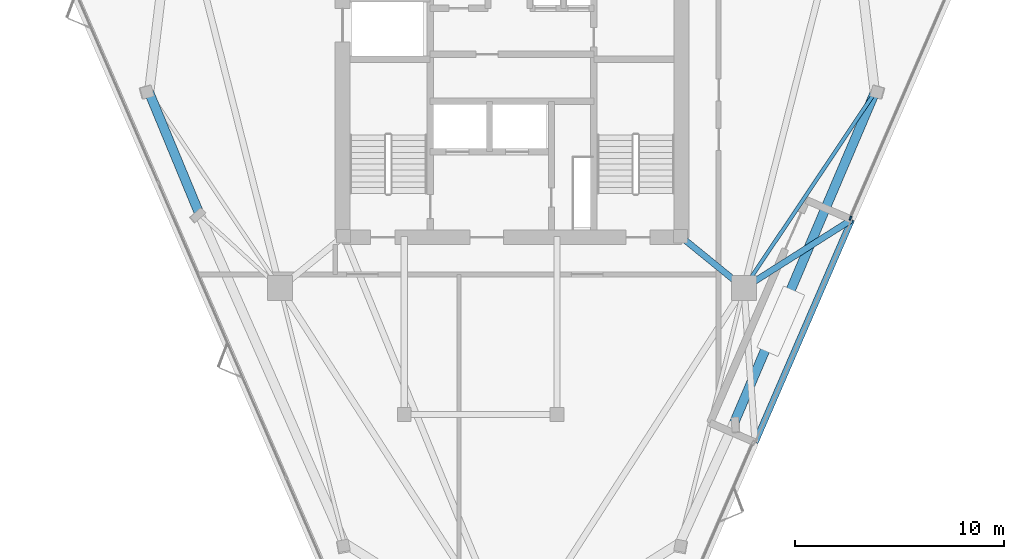
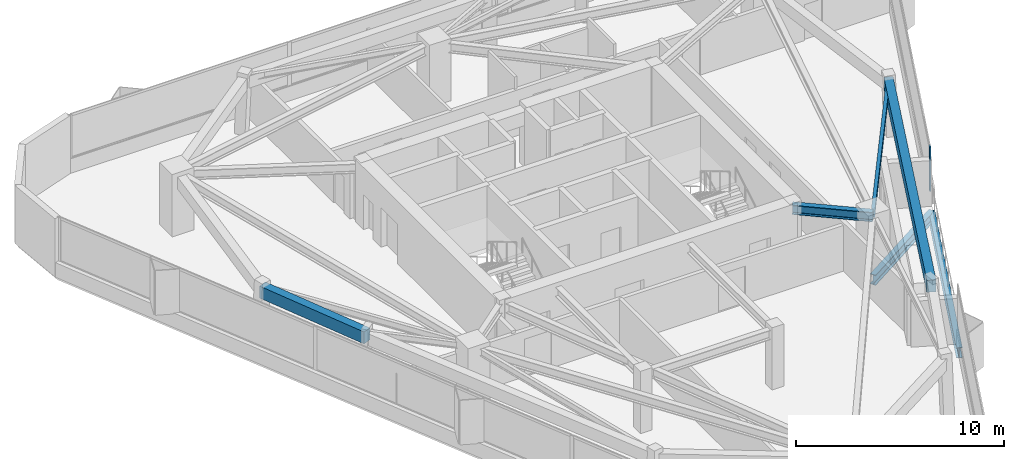
# One storey, part 3 of 10: 6 beams, 1 member, 1 element without a shape of its own.
"""IFC4 building model written with IfcOpenShell, lengths in metres."""

from ifc_helpers import new_model, si_unit, direction, frame, origin, origin_2d, place, context, subcontext, project, spatial, rectangle, i_section, extrude, material, layer, layer_set, material_profile, profile_set, type_object, element, aggregate, save


model = new_model("IFC4")

# Units and contexts
model_context = context("Model", 3, precision=1e-05, world=origin(), true_north=direction((0.0, 1.0)))
body_context = subcontext(model_context, "Body", "Model", "MODEL_VIEW")
ifc_project = project(units=[si_unit("LENGTHUNIT", "METRE"), si_unit("AREAUNIT", "SQUARE_METRE"), si_unit("VOLUMEUNIT", "CUBIC_METRE"), si_unit("PLANEANGLEUNIT", "RADIAN"), si_unit("MASSUNIT", "GRAM", prefix="KILO")], contexts=[model_context])

# Site, building, storey
site_placement = place(None, origin())
site = spatial("IfcSite", under=ifc_project, at=site_placement, CompositionType="ELEMENT")
building_placement = place(site_placement, origin())
building = spatial("IfcBuilding", under=site, at=building_placement, Name="Talyreon Biosciences Tower", CompositionType="ELEMENT")
storey_placement = place(building_placement, frame((0.0, 0.0, 253.5)))
storey = spatial("IfcBuildingStorey", under=building, at=storey_placement, Name="L67", CompositionType="ELEMENT", Elevation=253.5)

# Curtain wall, member
ifc_material_1 = material(Name="Thermally broken aluminium and low-E glazing", Category="aluminium")
ifc_layer = layer(ifc_material_1, 0.205078125)
ifc_layer_set = layer_set([ifc_layer], Name="Thermally broken aluminium and low-E glazing")
curtain_wall_type = type_object("IfcCurtainWallType", Name="CurtainWall_SkyGardenLoggia", PredefinedType="NOTDEFINED", material=ifc_layer_set)
curtain_wall_placement = place(storey_placement, origin())
curtain_wall = element("IfcCurtainWall", 1, at=curtain_wall_placement, inside=storey, type_object=curtain_wall_type, Name="L67 Unitised Curtain Wall FCW-L67-07", PredefinedType="NOTDEFINED")
ifc_material_2 = material(Name="Anodised thermally broken aluminium", Category="aluminium")
ifc_material_profile_1 = material_profile(ifc_material_2, rectangle(XDim=0.074951171875, YDim=0.2099609375, at=origin_2d()), Name="ALUM MULLION 75x210")
ifc_profile_set_1 = profile_set([ifc_material_profile_1], Name="Anodised thermally broken aluminium")
member_type = type_object("IfcMemberType", Name="CWMullion_75x210", PredefinedType="MULLION", material=ifc_profile_set_1)
member_placement = place(storey_placement, frame((82.170654296875, 62.214599609375, 0.81005859375), z_axis=(0.0, 0.0, 1.0), x_axis=(0.917586622181, -0.397535898748, 0.0)))
member = element("IfcMember", 2, at=member_placement, type_object=member_type, Name="CW7 mullion 2", PredefinedType="MULLION", context=body_context, shape_type="SweptSolid", body=[
    extrude(rectangle(XDim=0.074951171875, YDim=0.2099609375, at=origin_2d()), origin(), (0.0, 0.0, 1.0), 2.58984375),
])
aggregate(curtain_wall, [member])

# Beams
ifc_material_3 = material(Name="Precast concrete C45/55", Category="concrete")
ifc_material_profile_2 = material_profile(ifc_material_3, rectangle(XDim=0.449951171875, YDim=0.699951171875, at=origin_2d()), Name="RCB 450x700")
ifc_profile_set_2 = profile_set([ifc_material_profile_2], Name="Precast concrete C45/55")
beam_type_1 = type_object("IfcBeamType", Name="ExpressedSpandrel_450x700", PredefinedType="SPANDREL", material=ifc_profile_set_2)
beam_1_placement = place(storey_placement, frame((76.62060546875, 52.45361328125, 3.050048828125), z_axis=(0.391967859802, 0.919978911108, 0.0), x_axis=(-0.919978911108, 0.391967859802, 0.0)))
element("IfcBeam", 3, at=beam_1_placement, inside=storey, type_object=beam_type_1, Name="L67 Expressed Horizontal Concrete Spandrel 03", PredefinedType="SPANDREL", context=body_context, shape_type="SweptSolid", body=[
    extrude(rectangle(XDim=0.449951171875, YDim=0.699951171875, at=origin_2d()), origin(), (0.0, 0.0, 1.0), 17.1455078125),
])
beam_2_placement = place(storey_placement, frame((48.658935546875, 68.22705078125, 3.050048828125), z_axis=(0.382743154991, -0.923854792328, 0.0), x_axis=(0.923854792328, 0.382743154991, 0.0)))
element("IfcBeam", 4, at=beam_2_placement, inside=storey, type_object=beam_type_1, Name="L67 Expressed Horizontal Concrete Spandrel 10", PredefinedType="SPANDREL", context=body_context, shape_type="SweptSolid", body=[
    extrude(rectangle(XDim=0.449951171875, YDim=0.699951171875, at=origin_2d()), origin(), (0.0, 0.0, 1.0), 6.3173828125),
])
ifc_material_4 = material(Name="Steel SM355", Category="steel")
ifc_material_profile_3 = material_profile(ifc_material_4, i_section(OverallWidth=0.300048828125, OverallDepth=0.550048828125, WebThickness=0.014892578125, FlangeThickness=0.029052734375, FilletRadius=0.027099609375, at=origin_2d()), Name="HE550B")
ifc_profile_set_3 = profile_set([ifc_material_profile_3], Name="Steel SM355")
beam_type_2 = type_object("IfcBeamType", Name="SteelBeam_HE550B", PredefinedType="BEAM", material=ifc_profile_set_3)
beam_3_placement = place(storey_placement, frame((74.050048828125, 61.35009765625, 3.125), z_axis=(0.775755154013, -0.631034025249, 0.0), x_axis=(0.631034025249, 0.775755154013, 0.0)))
element("IfcBeam", 5, at=beam_3_placement, inside=storey, type_object=beam_type_2, Name="L67 Radial Primary Girder 2", PredefinedType="BEAM", context=body_context, shape_type="SweptSolid", body=[
    extrude(i_section(OverallWidth=0.300048828125, OverallDepth=0.550048828125, WebThickness=0.014892578125, FlangeThickness=0.029052734375, FilletRadius=0.027099609375, at=origin_2d()), origin(), (0.0, 0.0, 1.0), 3.913818359375),
])
ifc_material_profile_4 = material_profile(ifc_material_4, i_section(OverallWidth=0.300048828125, OverallDepth=0.60009765625, WebThickness=0.015380859375, FlangeThickness=0.030029296875, FilletRadius=0.027099609375, at=origin_2d()), Name="HE600B")
ifc_profile_set_4 = profile_set([ifc_material_profile_4], Name="Steel SM355")
beam_type_3 = type_object("IfcBeamType", Name="SteelBeam_HE600B", PredefinedType="BEAM", material=ifc_profile_set_4)
beam_4_placement = place(storey_placement, frame((77.086181640625, 58.88037109375, -0.6298828125), z_axis=(0.844024260358, 0.536304995248, 0.0), x_axis=(-0.536304995248, 0.844024260358, 0.0)))
element("IfcBeam", 6, at=beam_4_placement, inside=storey, type_object=beam_type_3, Name="L67 Sky-Garden Terrace Edge Outrigger 2", PredefinedType="BEAM", context=body_context, shape_type="SweptSolid", body=[
    extrude(i_section(OverallWidth=0.300048828125, OverallDepth=0.60009765625, WebThickness=0.015380859375, FlangeThickness=0.030029296875, FilletRadius=0.027099609375, at=origin_2d()), origin(), (0.0, 0.0, 1.0), 6.09326171875),
])
beam_5_placement = place(storey_placement, frame((77.61767578125, 51.50439453125, -0.6298828125), z_axis=(0.397535967154, 0.917586592545, 0.0), x_axis=(-0.917586592545, 0.397535967154, 0.0)))
element("IfcBeam", 7, at=beam_5_placement, inside=storey, type_object=beam_type_3, Name="L67 Sky-Garden Terrace Outer Edge Beam", PredefinedType="BEAM", context=body_context, shape_type="SweptSolid", body=[
    extrude(i_section(OverallWidth=0.300048828125, OverallDepth=0.60009765625, WebThickness=0.015380859375, FlangeThickness=0.030029296875, FilletRadius=0.027099609375, at=origin_2d()), origin(), (0.0, 0.0, 1.0), 11.599853515625),
])
ifc_material_profile_5 = material_profile(ifc_material_4, i_section(OverallWidth=0.179931640625, OverallDepth=0.39990234375, WebThickness=0.008544921875, FlangeThickness=0.013427734375, FilletRadius=0.02099609375, at=origin_2d()), Name="IPE400")
ifc_profile_set_5 = profile_set([ifc_material_profile_5], Name="Steel SM355")
beam_type_4 = type_object("IfcBeamType", Name="SteelJoist_IPE400", PredefinedType="JOIST", material=ifc_profile_set_5)
beam_6_placement = place(storey_placement, frame((77.086181640625, 58.88037109375, 3.199951171875), z_axis=(0.556162132574, 0.831073812781, 0.0), x_axis=(-0.831073812781, 0.556162132574, 0.0)))
element("IfcBeam", 8, at=beam_6_placement, inside=storey, type_object=beam_type_4, Name="L67 Radial Composite Floor Joist PC-SE2", PredefinedType="JOIST", context=body_context, shape_type="SweptSolid", body=[
    extrude(i_section(OverallWidth=0.179931640625, OverallDepth=0.39990234375, WebThickness=0.008544921875, FlangeThickness=0.013427734375, FilletRadius=0.02099609375, at=origin_2d()), origin(), (0.0, 0.0, 1.0), 11.24658203125),
])

save(model, "model.ifc")
